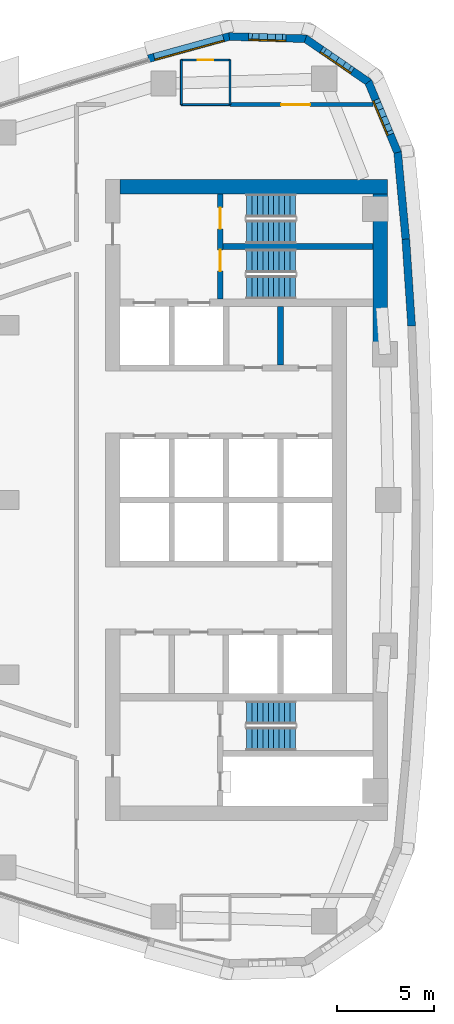
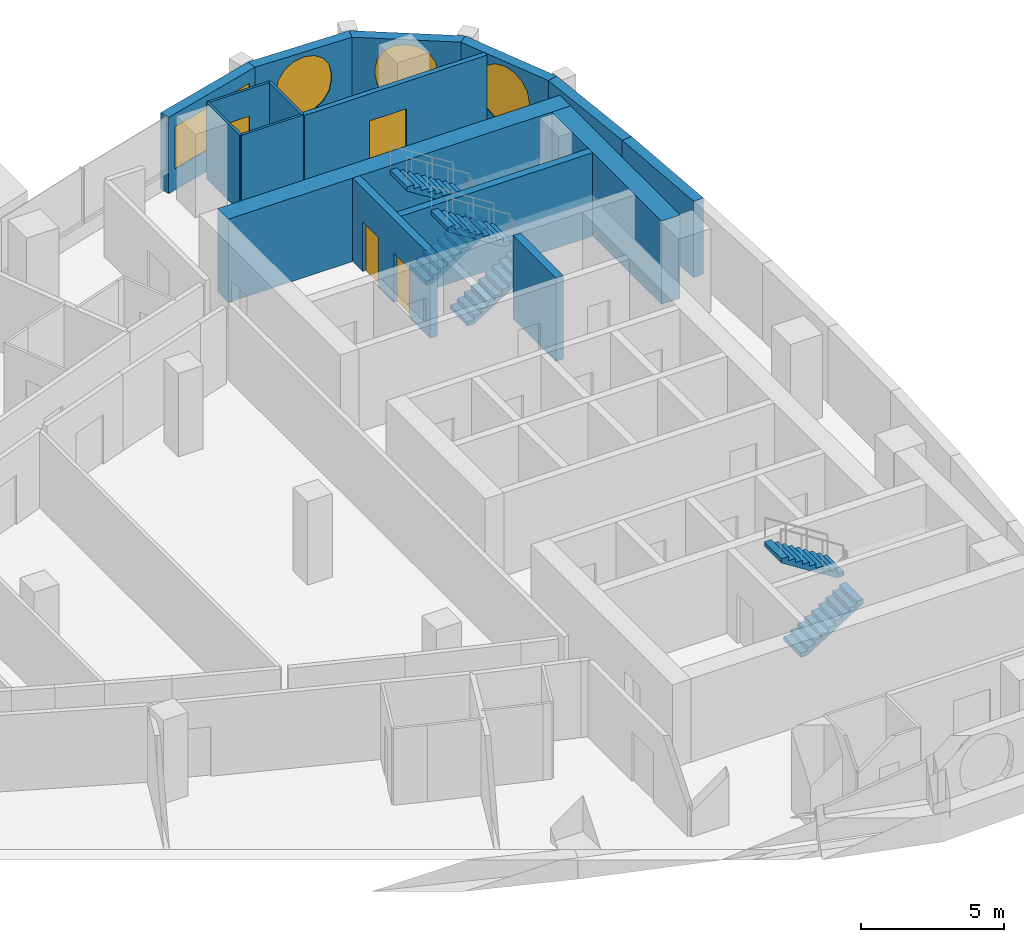
# One storey, part 12 of 16: 16 walls, 6 stair flights, 4 doors, 4 windows, 8 openings, 3 elements without a shape of their own.
"""IFC4 building model written with IfcOpenShell, lengths in metres."""

from ifc_helpers import new_model, si_unit, direction, frame, frame_2d, origin, place, context, subcontext, project, spatial, polyline, rectangle, outline, extrude, material, layer, layer_set, type_object, element, fill, aggregate, save


model = new_model("IFC4")

# Units and contexts
model_context = context("Model", 3, precision=1e-05, world=origin(), true_north=direction((0.0, 1.0)))
body_context = subcontext(model_context, "Body", "Model", "MODEL_VIEW")
ifc_project = project(units=[si_unit("LENGTHUNIT", "METRE"), si_unit("AREAUNIT", "SQUARE_METRE"), si_unit("VOLUMEUNIT", "CUBIC_METRE"), si_unit("PLANEANGLEUNIT", "RADIAN"), si_unit("MASSUNIT", "GRAM", prefix="KILO")], contexts=[model_context])

# Site, building, storey
site_placement = place(None, origin())
site = spatial("IfcSite", under=ifc_project, at=site_placement, CompositionType="ELEMENT")
building_placement = place(site_placement, origin())
building = spatial("IfcBuilding", under=site, at=building_placement, Name="Ostrand Prow Hotel Tower", CompositionType="ELEMENT")
storey_placement = place(building_placement, frame((0.0, 0.0, 189.699951171875)))
storey = spatial("IfcBuildingStorey", under=building, at=storey_placement, Name="L47", CompositionType="ELEMENT", Elevation=189.699951171875)

# Wall
ifc_material_1 = material(Name="Concrete C60/75", Category="concrete")
ifc_layer_1 = layer(ifc_material_1, 0.300048828125)
ifc_layer_set_1 = layer_set([ifc_layer_1], Name="Concrete C60/75")
wall_type_1 = type_object("IfcWallType", Name="Core wall 300 C60/75", PredefinedType="SHEAR", material=ifc_layer_set_1)
wall_1_placement = place(storey_placement, frame((58.949951171875, 6.949951171875, 0.0), z_axis=(0.0, 0.0, 1.0), x_axis=(0.0, 1.0, 0.0)))
element("IfcWall", 1, at=wall_1_placement, inside=storey, type_object=wall_type_1, Name="Core wall PW-R3-NA", PredefinedType="SHEAR", context=body_context, shape_type="SweptSolid", body=[
    extrude(rectangle(XDim=3.0, YDim=0.300048828125, at=frame_2d((1.5, 0.0))), origin(), (0.0, 0.0, 1.0), 3.550048828125),
])

# Wall, openings, doors
wall_2_placement = place(storey_placement, frame((55.85009765625, 10.35009765625, 0.0), z_axis=(0.0, 0.0, 1.0), x_axis=(0.0, 1.0, 0.0)))
wall_2 = element("IfcWall", 2, at=wall_2_placement, inside=storey, type_object=wall_type_1, Name="Core wall PW-VN", PredefinedType="SHEAR", context=body_context, shape_type="SweptSolid", body=[
    extrude(rectangle(XDim=5.39990234375, YDim=0.300048828125, at=frame_2d((2.699951171875, 0.0))), origin(), (0.0, 0.0, 1.0), 3.550048828125),
])
opening_1_placement = place(wall_2_placement, frame((1.429931640625, 0.0, 0.0)))
opening_1 = element("IfcOpeningElement", 3, at=opening_1_placement, cuts=wall_2, Name="Opening FD1", PredefinedType="OPENING", context=body_context, shape_type="SweptSolid", body=[
    extrude(rectangle(XDim=1.10009765625, YDim=2.10009765625, at=frame_2d((0.550048828125, 1.050048828125))), frame((0.0, 0.159912109375, 0.0), z_axis=(0.0, -1.0, 0.0), x_axis=(1.0, 0.0, 0.0)), (0.0, 0.0, 1.0), 0.320068359375),
])
opening_2_placement = place(wall_2_placement, frame((3.60009765625, 0.0, 0.0)))
opening_2 = element("IfcOpeningElement", 4, at=opening_2_placement, cuts=wall_2, Name="Opening FD1", PredefinedType="OPENING", context=body_context, shape_type="SweptSolid", body=[
    extrude(rectangle(XDim=1.10009765625, YDim=2.10009765625, at=frame_2d((0.550048828125, 1.050048828125))), frame((0.0, 0.159912109375, 0.0), z_axis=(0.0, -1.0, 0.0), x_axis=(1.0, 0.0, 0.0)), (0.0, 0.0, 1.0), 0.320068359375),
])
ifc_material_2 = material(Name="Steel fire door", Category="steel")
door_type_1 = type_object("IfcDoorType", Name="Fire door 1100 EI120", OperationType="SINGLE_SWING_RIGHT", PredefinedType="DOOR", material=ifc_material_2)
door_1_placement = place(opening_1_placement, origin())
door_1 = element("IfcDoor", 5, at=door_1_placement, inside=storey, type_object=door_type_1, Name="FIRE DOOR", OperationType="SINGLE_SWING_RIGHT", OverallHeight=2.10009765625, OverallWidth=1.10009765625, PredefinedType="DOOR", context=body_context, shape_type="SweptSolid", body=[
    extrude(rectangle(XDim=1.10009765625, YDim=2.10009765625, at=frame_2d((0.550048828125, 1.050048828125))), frame((0.0, 0.02490234375, 0.0), z_axis=(0.0, -1.0, 0.0), x_axis=(1.0, 0.0, 0.0)), (0.0, 0.0, 1.0), 0.050048828125),
])
fill(opening_1, door_1)
door_2_placement = place(opening_2_placement, origin())
door_2 = element("IfcDoor", 6, at=door_2_placement, inside=storey, type_object=door_type_1, Name="FIRE DOOR", OperationType="SINGLE_SWING_RIGHT", OverallHeight=2.10009765625, OverallWidth=1.10009765625, PredefinedType="DOOR", context=body_context, shape_type="SweptSolid", body=[
    extrude(rectangle(XDim=1.10009765625, YDim=2.10009765625, at=frame_2d((0.550048828125, 1.050048828125))), frame((0.0, 0.02490234375, 0.0), z_axis=(0.0, -1.0, 0.0), x_axis=(1.0, 0.0, 0.0)), (0.0, 0.0, 1.0), 0.050048828125),
])
fill(opening_2, door_2)

# Walls
wall_3_placement = place(storey_placement, frame((56.0, 13.050048828125, 0.0), z_axis=(0.0, 0.0, 1.0), x_axis=(1.0, 0.0, 0.0)))
element("IfcWall", 7, at=wall_3_placement, inside=storey, type_object=wall_type_1, Name="Core wall PW-ST13", PredefinedType="SHEAR", context=body_context, shape_type="SweptSolid", body=[
    extrude(rectangle(XDim=7.719970703125, YDim=0.300048828125, at=frame_2d((3.85986328125, 0.0))), origin(), (0.0, 0.0, 1.0), 3.550048828125),
])
ifc_material_3 = material(Name="Concrete C60/75", Category="concrete")
ifc_layer_2 = layer(ifc_material_3, 0.75)
ifc_layer_set_2 = layer_set([ifc_layer_2], Name="Concrete C60/75")
wall_type_2 = type_object("IfcWallType", Name="Core wall 750 C60/75", PredefinedType="SHEAR", material=ifc_layer_set_2)
wall_4_placement = place(storey_placement, frame((50.699951171875, 16.125, 0.0), z_axis=(0.0, 0.0, 1.0), x_axis=(1.0, 0.0, 0.0)))
element("IfcWall", 8, at=wall_4_placement, inside=storey, type_object=wall_type_2, Name="Core wall CW-N", PredefinedType="SHEAR", context=body_context, shape_type="SweptSolid", body=[
    extrude(rectangle(XDim=13.77001953125, YDim=0.75, at=frame_2d((6.885009765625, 0.0))), origin(), (0.0, 0.0, 1.0), 3.550048828125),
])
wall_5_placement = place(storey_placement, frame((64.094970703125, 8.09912109375, 0.0), z_axis=(0.0, 0.0, 1.0), x_axis=(0.0, 1.0, 0.0)))
element("IfcWall", 9, at=wall_5_placement, inside=storey, type_object=wall_type_2, Name="Core wall CW-E-N", PredefinedType="SHEAR", context=body_context, shape_type="SweptSolid", body=[
    extrude(rectangle(XDim=7.65087890625, YDim=0.75, at=frame_2d((3.825439453125, 0.0))), origin(), (0.0, 0.0, 1.0), 3.550048828125),
])

# Wall, opening, door
ifc_material_4 = material(Name="Plasterboard partition")
ifc_layer_3 = layer(ifc_material_4, 0.10009765625)
ifc_layer_set_3 = layer_set([ifc_layer_3], Name="Plasterboard partition")
wall_type_3 = type_object("IfcWallType", Name="Partition 100 bathroom wall", PredefinedType="PARTITIONING", material=ifc_layer_set_3)
wall_6_placement = place(storey_placement, frame((53.85009765625, 22.64990234375, 0.0), z_axis=(0.0, 0.0, 1.0), x_axis=(1.0, 0.0, 0.0)))
wall_6 = element("IfcWall", 10, at=wall_6_placement, inside=storey, type_object=wall_type_3, Name="BATHROOM WALL", PredefinedType="PARTITIONING", context=body_context, shape_type="SweptSolid", body=[
    extrude(rectangle(XDim=2.5, YDim=0.10009765625, at=frame_2d((1.25, 0.0))), origin(), (0.0, 0.0, 1.0), 3.25),
])
opening_3_placement = place(wall_6_placement, frame((0.85009765625, 0.0, 0.0)))
opening_3 = element("IfcOpeningElement", 11, at=opening_3_placement, cuts=wall_6, Name="Opening D2", PredefinedType="OPENING", context=body_context, shape_type="SweptSolid", body=[
    extrude(rectangle(XDim=0.800048828125, YDim=2.10009765625, at=frame_2d((0.39990234375, 1.050048828125))), frame((0.0, 0.06005859375, 0.0), z_axis=(0.0, -1.0, 0.0), x_axis=(1.0, 0.0, 0.0)), (0.0, 0.0, 1.0), 0.1201171875),
])
ifc_material_5 = material(Name="Timber door leaf", Category="wood")
door_type_2 = type_object("IfcDoorType", Name="Bathroom door 800", OperationType="SINGLE_SWING_LEFT", PredefinedType="DOOR", material=ifc_material_5)
door_3_placement = place(opening_3_placement, origin())
door_3 = element("IfcDoor", 12, at=door_3_placement, inside=storey, type_object=door_type_2, Name="DOOR", OperationType="SINGLE_SWING_LEFT", OverallHeight=2.10009765625, OverallWidth=0.800048828125, PredefinedType="DOOR", context=body_context, shape_type="SweptSolid", body=[
    extrude(rectangle(XDim=0.800048828125, YDim=2.10009765625, at=frame_2d((0.39990234375, 1.050048828125))), frame((0.0, 0.02490234375, 0.0), z_axis=(0.0, -1.0, 0.0), x_axis=(1.0, 0.0, 0.0)), (0.0, 0.0, 1.0), 0.050048828125),
])
fill(opening_3, door_3)

# Walls
for number, where, z_axis, x_axis, name in (
    (13, (56.35009765625, 22.64990234375, 0.0), (0.0, 0.0, 1.0), (0.0, -1.0, 0.0), "BATHROOM WALL"),
    (14, (53.85009765625, 20.35009765625, 0.0), (0.0, 0.0, 1.0), (0.0, 1.0, 0.0), "BATHROOM WALL"),
):
    element("IfcWall", number, at=place(storey_placement, frame(where, z_axis=z_axis, x_axis=x_axis)), inside=storey, type_object=wall_type_3, Name=name, PredefinedType="PARTITIONING", context=body_context, shape_type="SweptSolid", body=[
        extrude(rectangle(XDim=2.2998046875, YDim=0.10009765625, at=frame_2d((1.14990234375, 0.0))), origin(), (0.0, 0.0, 1.0), 3.25),
    ])
wall_7_placement = place(storey_placement, frame((56.35009765625, 20.35498046875, 0.0), z_axis=(0.0, 0.0, 1.0), x_axis=(-1.0, 0.0, 0.0)))
element("IfcWall", 15, at=wall_7_placement, inside=storey, type_object=wall_type_3, Name="BATHROOM WALL", PredefinedType="PARTITIONING", context=body_context, shape_type="SweptSolid", body=[
    extrude(rectangle(XDim=2.5, YDim=0.10009765625, at=frame_2d((1.25, 0.0))), origin(), (0.0, 0.0, 1.0), 3.25),
])

# Wall, opening, door
ifc_material_6 = material(Name="Plasterboard partition")
ifc_layer_4 = layer(ifc_material_6, 0.199951171875)
ifc_layer_set_4 = layer_set([ifc_layer_4], Name="Plasterboard partition")
wall_type_4 = type_object("IfcWallType", Name="Partition 200 corridor wall", PredefinedType="PARTITIONING", material=ifc_layer_set_4)
wall_8_placement = place(storey_placement, frame((63.70947265625, 20.35498046875, 0.0), z_axis=(0.0, 0.0, 1.0), x_axis=(-1.0, 0.0, 0.0)))
wall_8 = element("IfcWall", 16, at=wall_8_placement, inside=storey, type_object=wall_type_4, Name="CORRIDOR WALL", PredefinedType="PARTITIONING", context=body_context, shape_type="SweptSolid", body=[
    extrude(rectangle(XDim=7.3544921875, YDim=0.199951171875, at=frame_2d((3.67724609375, 0.0))), origin(), (0.0, 0.0, 1.0), 3.25),
])
opening_4_placement = place(wall_8_placement, frame((3.230712890625, 0.0, 0.0)))
opening_4 = element("IfcOpeningElement", 17, at=opening_4_placement, cuts=wall_8, Name="Opening D15", PredefinedType="OPENING", context=body_context, shape_type="SweptSolid", body=[
    extrude(rectangle(XDim=1.5, YDim=2.10009765625, at=frame_2d((0.75, 1.050048828125))), frame((0.0, 0.10986328125, 0.0), z_axis=(0.0, -1.0, 0.0), x_axis=(1.0, 0.0, 0.0)), (0.0, 0.0, 1.0), 0.219970703125),
])
ifc_material_7 = material(Name="Timber door leaf", Category="wood")
door_type_3 = type_object("IfcDoorType", Name="Double door 1500", OperationType="DOUBLE_DOOR_SINGLE_SWING", PredefinedType="DOOR", material=ifc_material_7)
door_4_placement = place(opening_4_placement, origin())
door_4 = element("IfcDoor", 18, at=door_4_placement, inside=storey, type_object=door_type_3, Name="DOOR", OperationType="DOUBLE_DOOR_SINGLE_SWING", OverallHeight=2.10009765625, OverallWidth=1.5, PredefinedType="DOOR", context=body_context, shape_type="SweptSolid", body=[
    extrude(rectangle(XDim=1.5, YDim=2.10009765625, at=frame_2d((0.75, 1.050048828125))), frame((0.0, 0.02490234375, 0.0), z_axis=(0.0, -1.0, 0.0), x_axis=(1.0, 0.0, 0.0)), (0.0, 0.0, 1.0), 0.050048828125),
])
fill(opening_4, door_4)

# Walls
ifc_material_8 = material(Name="Precast concrete C40/50", Category="concrete")
ifc_layer_5 = layer(ifc_material_8, 0.39990234375)
ifc_layer_set_5 = layer_set([ifc_layer_5], Name="Precast concrete C40/50")
wall_type_5 = type_object("IfcWallType", Name="Stone-faced precast wall 400 mm", PredefinedType="NOTDEFINED", material=ifc_layer_set_5)
wall_9_placement = place(storey_placement, frame((65.700439453125, 8.957763671875, 0.0), z_axis=(0.0, 0.0, 1.0), x_axis=(-0.066905935948, 0.997759287471, 0.0)))
element("IfcWall", 19, at=wall_9_placement, inside=storey, type_object=wall_type_5, Name="Stone-faced wall back 11", PredefinedType="NOTDEFINED", context=body_context, shape_type="SweptSolid", body=[
    extrude(outline(polyline([(-0.002685546875, -0.199951171875), (4.483642578125, -0.199951171875), (4.478271484375, 0.199951171875), (0.002685546875, 0.199951171875), (-0.002685546875, -0.199951171875)])), origin(), (0.0, 0.0, 1.0), 3.25),
])
wall_10_placement = place(storey_placement, frame((65.400634765625, 13.4287109375, 0.0), z_axis=(0.0, 0.0, 1.0), x_axis=(-0.093605694738, 0.995609348044, 0.0)))
element("IfcWall", 20, at=wall_10_placement, inside=storey, type_object=wall_type_5, Name="Stone-faced wall back 12", PredefinedType="NOTDEFINED", context=body_context, shape_type="SweptSolid", body=[
    extrude(outline(polyline([(-0.002685546875, -0.199951171875), (4.51123046875, -0.199951171875), (4.45068359375, 0.199951171875), (0.002685546875, 0.199951171875), (-0.002685546875, -0.199951171875)])), origin(), (0.0, 0.0, 1.0), 3.25),
])

# Wall, opening, window
wall_11_placement = place(storey_placement, frame((64.981201171875, 17.889892578125, 0.0), z_axis=(0.0, 0.0, 1.0), x_axis=(-0.383997619794, 0.923334082547, 0.0)))
wall_11 = element("IfcWall", 21, at=wall_11_placement, inside=storey, type_object=wall_type_5, Name="Stone-faced wall back 13", PredefinedType="NOTDEFINED", context=body_context, shape_type="SweptSolid", body=[
    extrude(outline(polyline([(-0.0302734375, -0.199951171875), (3.98828125, -0.199951171875), (3.8701171875, 0.199951171875), (0.0302734375, 0.199951171875), (-0.0302734375, -0.199951171875)])), origin(), (0.0, 0.0, 1.0), 3.25),
])
opening_5_placement = place(wall_11_placement, frame((0.864501953125, 0.0, 0.60009765625)))
opening_5 = element("IfcOpeningElement", 22, at=opening_5_placement, cuts=wall_11, Name="Opening WP1", PredefinedType="OPENING", context=body_context, shape_type="SweptSolid", body=[
    extrude(outline(polyline([(0.0, 1.35009765625), (0.083740234375, 1.77099609375), (0.322265625, 2.127685546875), (0.678955078125, 2.3662109375), (1.10009765625, 2.449951171875), (1.52099609375, 2.3662109375), (1.877685546875, 2.127685546875), (2.1162109375, 1.77099609375), (2.199951171875, 1.35009765625), (2.199951171875, 1.10009765625), (2.1162109375, 0.678955078125), (1.877685546875, 0.322265625), (1.52099609375, 0.083740234375), (1.10009765625, 0.0), (0.678955078125, 0.083740234375), (0.322265625, 0.322265625), (0.083740234375, 0.678955078125), (0.0, 1.099853515625), (0.0, 1.35009765625)])), frame((0.0, 0.2099609375, 0.0), z_axis=(0.0, -1.0, 0.0), x_axis=(1.0, 0.0, 0.0)), (0.0, 0.0, 1.0), 0.419921875),
])
ifc_material_9 = material(Name="Insulated glass in bronze frame", Category="glass")
window_type_1 = type_object("IfcWindowType", Name="Round-ended prow window 2200x2450", PartitioningType="SINGLE_PANEL", PredefinedType="WINDOW", material=ifc_material_9)
window_1_placement = place(opening_5_placement, origin())
window_1 = element("IfcWindow", 23, at=window_1_placement, inside=storey, type_object=window_type_1, Name="Window back 13.1", OverallHeight=2.449951171875, OverallWidth=2.199951171875, PartitioningType="SINGLE_PANEL", PredefinedType="WINDOW", context=body_context, shape_type="SweptSolid", body=[
    extrude(outline(polyline([(0.0, 1.35009765625), (0.083740234375, 1.77099609375), (0.322265625, 2.127685546875), (0.678955078125, 2.3662109375), (1.10009765625, 2.449951171875), (1.52099609375, 2.3662109375), (1.877685546875, 2.127685546875), (2.1162109375, 1.77099609375), (2.199951171875, 1.35009765625), (2.199951171875, 1.10009765625), (2.1162109375, 0.678955078125), (1.877685546875, 0.322265625), (1.52099609375, 0.083740234375), (1.10009765625, 0.0), (0.678955078125, 0.083740234375), (0.322265625, 0.322265625), (0.083740234375, 0.678955078125), (0.0, 1.099853515625), (0.0, 1.35009765625)])), frame((0.0, 0.169921875, 0.0), z_axis=(0.0, -1.0, 0.0), x_axis=(1.0, 0.0, 0.0)), (0.0, 0.0, 1.0), 0.06005859375),
])
fill(opening_5, window_1)

wall_12_placement = place(storey_placement, frame((63.472412109375, 21.517822265625, 0.0), z_axis=(0.0, 0.0, 1.0), x_axis=(-0.823806162588, 0.566871596115, 0.0)))
wall_12 = element("IfcWall", 24, at=wall_12_placement, inside=storey, type_object=wall_type_5, Name="Stone-faced wall back 14", PredefinedType="NOTDEFINED", context=body_context, shape_type="SweptSolid", body=[
    extrude(outline(polyline([(-0.05908203125, -0.199951171875), (3.98828125, -0.199951171875), (3.8701171875, 0.199951171875), (0.05908203125, 0.199951171875), (-0.05908203125, -0.199951171875)])), origin(), (0.0, 0.0, 1.0), 3.25),
])
opening_6_placement = place(wall_12_placement, frame((0.864501953125, 0.0, 0.60009765625)))
opening_6 = element("IfcOpeningElement", 25, at=opening_6_placement, cuts=wall_12, Name="Opening WP1", PredefinedType="OPENING", context=body_context, shape_type="SweptSolid", body=[
    extrude(outline(polyline([(0.0, 1.35009765625), (0.083740234375, 1.77099609375), (0.322265625, 2.127685546875), (0.678955078125, 2.3662109375), (1.10009765625, 2.449951171875), (1.52099609375, 2.3662109375), (1.877685546875, 2.127685546875), (2.1162109375, 1.77099609375), (2.199951171875, 1.35009765625), (2.199951171875, 1.10009765625), (2.1162109375, 0.678955078125), (1.877685546875, 0.322265625), (1.52099609375, 0.083740234375), (1.10009765625, 0.0), (0.678955078125, 0.083740234375), (0.322265625, 0.322265625), (0.083740234375, 0.678955078125), (0.0, 1.099853515625), (0.0, 1.35009765625)])), frame((0.0, 0.2099609375, 0.0), z_axis=(0.0, -1.0, 0.0), x_axis=(1.0, 0.0, 0.0)), (0.0, 0.0, 1.0), 0.419921875),
])
window_2_placement = place(opening_6_placement, origin())
window_2 = element("IfcWindow", 26, at=window_2_placement, inside=storey, type_object=window_type_1, Name="Window back 14.1", OverallHeight=2.449951171875, OverallWidth=2.199951171875, PartitioningType="SINGLE_PANEL", PredefinedType="WINDOW", context=body_context, shape_type="SweptSolid", body=[
    extrude(outline(polyline([(0.0, 1.35009765625), (0.083740234375, 1.77099609375), (0.322265625, 2.127685546875), (0.678955078125, 2.3662109375), (1.10009765625, 2.449951171875), (1.52099609375, 2.3662109375), (1.877685546875, 2.127685546875), (2.1162109375, 1.77099609375), (2.199951171875, 1.35009765625), (2.199951171875, 1.10009765625), (2.1162109375, 0.678955078125), (1.877685546875, 0.322265625), (1.52099609375, 0.083740234375), (1.10009765625, 0.0), (0.678955078125, 0.083740234375), (0.322265625, 0.322265625), (0.083740234375, 0.678955078125), (0.0, 1.099853515625), (0.0, 1.35009765625)])), frame((0.0, 0.169921875, 0.0), z_axis=(0.0, -1.0, 0.0), x_axis=(1.0, 0.0, 0.0)), (0.0, 0.0, 1.0), 0.06005859375),
])
fill(opening_6, window_2)

wall_13_placement = place(storey_placement, frame((60.235595703125, 23.7451171875, 0.0), z_axis=(0.0, 0.0, 1.0), x_axis=(-0.999587920197, 0.028705222472, 0.0)))
wall_13 = element("IfcWall", 27, at=wall_13_placement, inside=storey, type_object=wall_type_5, Name="Stone-faced wall back 15", PredefinedType="NOTDEFINED", context=body_context, shape_type="SweptSolid", body=[
    extrude(outline(polyline([(-0.05908203125, -0.199951171875), (3.959228515625, -0.199951171875), (3.899658203125, 0.199951171875), (0.05908203125, 0.199951171875), (-0.05908203125, -0.199951171875)])), origin(), (0.0, 0.0, 1.0), 3.25),
])
opening_7_placement = place(wall_13_placement, frame((0.864501953125, 0.0, 0.60009765625)))
opening_7 = element("IfcOpeningElement", 28, at=opening_7_placement, cuts=wall_13, Name="Opening WP1", PredefinedType="OPENING", context=body_context, shape_type="SweptSolid", body=[
    extrude(outline(polyline([(0.0, 1.35009765625), (0.083740234375, 1.77099609375), (0.322265625, 2.127685546875), (0.678955078125, 2.3662109375), (1.10009765625, 2.449951171875), (1.52099609375, 2.3662109375), (1.877685546875, 2.127685546875), (2.1162109375, 1.77099609375), (2.199951171875, 1.35009765625), (2.199951171875, 1.10009765625), (2.1162109375, 0.678955078125), (1.877685546875, 0.322265625), (1.52099609375, 0.083740234375), (1.10009765625, 0.0), (0.678955078125, 0.083740234375), (0.322265625, 0.322265625), (0.083740234375, 0.678955078125), (0.0, 1.099853515625), (0.0, 1.35009765625)])), frame((0.0, 0.2099609375, 0.0), z_axis=(0.0, -1.0, 0.0), x_axis=(1.0, 0.0, 0.0)), (0.0, 0.0, 1.0), 0.419921875),
])
window_3_placement = place(opening_7_placement, origin())
window_3 = element("IfcWindow", 29, at=window_3_placement, inside=storey, type_object=window_type_1, Name="Window back 15.1", OverallHeight=2.449951171875, OverallWidth=2.199951171875, PartitioningType="SINGLE_PANEL", PredefinedType="WINDOW", context=body_context, shape_type="SweptSolid", body=[
    extrude(outline(polyline([(0.0, 1.35009765625), (0.083740234375, 1.77099609375), (0.322265625, 2.127685546875), (0.678955078125, 2.3662109375), (1.10009765625, 2.449951171875), (1.52099609375, 2.3662109375), (1.877685546875, 2.127685546875), (2.1162109375, 1.77099609375), (2.199951171875, 1.35009765625), (2.199951171875, 1.10009765625), (2.1162109375, 0.678955078125), (1.877685546875, 0.322265625), (1.52099609375, 0.083740234375), (1.10009765625, 0.0), (0.678955078125, 0.083740234375), (0.322265625, 0.322265625), (0.083740234375, 0.678955078125), (0.0, 1.099853515625), (0.0, 1.35009765625)])), frame((0.0, 0.169921875, 0.0), z_axis=(0.0, -1.0, 0.0), x_axis=(1.0, 0.0, 0.0)), (0.0, 0.0, 1.0), 0.06005859375),
])
fill(opening_7, window_3)

wall_14_placement = place(storey_placement, frame((56.307861328125, 23.85791015625, 0.0), z_axis=(0.0, 0.0, 1.0), x_axis=(-0.964205755089, -0.265155165617, 0.0)))
wall_14 = element("IfcWall", 30, at=wall_14_placement, inside=storey, type_object=wall_type_5, Name="Stone-faced wall back 16", PredefinedType="NOTDEFINED", context=body_context, shape_type="SweptSolid", body=[
    extrude(outline(polyline([(-0.02978515625, -0.199951171875), (4.30712890625, -0.199951171875), (4.30712890625, 0.199951171875), (0.02978515625, 0.199951171875), (-0.02978515625, -0.199951171875)])), origin(), (0.0, 0.0, 1.0), 3.25),
])
opening_8_placement = place(wall_14_placement, frame((0.303466796875, 0.0, 0.89990234375)))
opening_8 = element("IfcOpeningElement", 31, at=opening_8_placement, cuts=wall_14, Name="Opening WS3-37", PredefinedType="OPENING", context=body_context, shape_type="SweptSolid", body=[
    extrude(rectangle(XDim=3.699951171875, YDim=1.800048828125, at=frame_2d((1.85009765625, 0.89990234375))), frame((0.0, 0.2099609375, 0.0), z_axis=(0.0, -1.0, 0.0), x_axis=(1.0, 0.0, 0.0)), (0.0, 0.0, 1.0), 0.419921875),
])
ifc_material_10 = material(Name="Insulated glass in bronze frame", Category="glass")
window_type_2 = type_object("IfcWindowType", Name="Strip window 3700x1800", PartitioningType="SINGLE_PANEL", PredefinedType="WINDOW", material=ifc_material_10)
window_4_placement = place(opening_8_placement, origin())
window_4 = element("IfcWindow", 32, at=window_4_placement, inside=storey, type_object=window_type_2, Name="Window back 16.1", OverallHeight=1.800048828125, OverallWidth=3.699951171875, PartitioningType="SINGLE_PANEL", PredefinedType="WINDOW", context=body_context, shape_type="SweptSolid", body=[
    extrude(rectangle(XDim=3.699951171875, YDim=1.800048828125, at=frame_2d((1.85009765625, 0.89990234375))), frame((0.0, 0.169921875, 0.0), z_axis=(0.0, -1.0, 0.0), x_axis=(1.0, 0.0, 0.0)), (0.0, 0.0, 1.0), 0.06005859375),
])
fill(opening_8, window_4)

# Stair, stair flights
ifc_material_11 = material(Name="Concrete C40/50", Category="concrete")
stair_type = type_object("IfcStairType", Name="Exit stair 1200 upper zone", PredefinedType="HALF_TURN_STAIR", material=ifc_material_11)
stair_1_placement = place(storey_placement, origin())
stair_1 = element("IfcStair", 33, at=stair_1_placement, inside=storey, type_object=stair_type, Name="L47 ST1C", PredefinedType="HALF_TURN_STAIR")
ifc_material_12 = material(Name="Concrete C40/50", Category="concrete")
stair_flight_type = type_object("IfcStairFlightType", Name="Stair flight 1200 concrete", PredefinedType="STRAIGHT", material=ifc_material_12)
stair_flight_1_placement = place(storey_placement, frame((57.199951171875, 10.949951171875, 0.0), z_axis=(0.0, 0.0, 1.0), x_axis=(1.0, 0.0, 0.0)))
stair_flight_1 = element("IfcStairFlight", 34, at=stair_flight_1_placement, type_object=stair_flight_type, Name="ST1C flight 1", NumberOfRisers=10, NumberOfTreads=9, PredefinedType="STRAIGHT", RiserHeight=0.1775, TreadLength=0.28, context=body_context, shape_type="SweptSolid", body=[
    extrude(outline(polyline([(0.0, 0.0), (0.0, 0.177490234375), (0.280029296875, 0.177490234375), (0.280029296875, 0.35498046875), (0.56005859375, 0.35498046875), (0.56005859375, 0.532470703125), (0.840087890625, 0.532470703125), (0.840087890625, 0.7099609375), (1.1201171875, 0.7099609375), (1.1201171875, 0.887451171875), (1.39990234375, 0.887451171875), (1.39990234375, 1.06494140625), (1.679931640625, 1.06494140625), (1.679931640625, 1.242431640625), (1.9599609375, 1.242431640625), (1.9599609375, 1.419921875), (2.239990234375, 1.419921875), (2.239990234375, 1.597412109375), (2.52001953125, 1.597412109375), (2.52001953125, 1.77490234375), (2.52001953125, 1.419921875), (0.280029296875, 0.0), (0.0, 0.0)])), frame((0.0, 0.60009765625, 0.0), z_axis=(0.0, -1.0, 0.0), x_axis=(1.0, 0.0, 0.0)), (0.0, 0.0, 1.0), 1.199951171875),
])
stair_flight_2_placement = place(storey_placement, frame((59.719970703125, 12.300048828125, 1.775146484375), z_axis=(0.0, 0.0, 1.0), x_axis=(-1.0, 0.0, 0.0)))
stair_flight_2 = element("IfcStairFlight", 35, at=stair_flight_2_placement, type_object=stair_flight_type, Name="ST1C flight 2", NumberOfRisers=10, NumberOfTreads=9, PredefinedType="STRAIGHT", RiserHeight=0.1775, TreadLength=0.28, context=body_context, shape_type="SweptSolid", body=[
    extrude(outline(polyline([(0.0, 0.0), (0.0, 0.177490234375), (0.280029296875, 0.177490234375), (0.280029296875, 0.35498046875), (0.56005859375, 0.35498046875), (0.56005859375, 0.532470703125), (0.840087890625, 0.532470703125), (0.840087890625, 0.7099609375), (1.1201171875, 0.7099609375), (1.1201171875, 0.887451171875), (1.39990234375, 0.887451171875), (1.39990234375, 1.06494140625), (1.679931640625, 1.06494140625), (1.679931640625, 1.242431640625), (1.9599609375, 1.242431640625), (1.9599609375, 1.419921875), (2.239990234375, 1.419921875), (2.239990234375, 1.597412109375), (2.52001953125, 1.597412109375), (2.52001953125, 1.77490234375), (2.52001953125, 1.419921875), (0.280029296875, 0.0), (0.0, 0.0)])), frame((0.0, 0.60009765625, 0.0), z_axis=(0.0, -1.0, 0.0), x_axis=(1.0, 0.0, 0.0)), (0.0, 0.0, 1.0), 1.199951171875),
])
aggregate(stair_1, [stair_flight_1, stair_flight_2])

stair_2_placement = place(storey_placement, origin())
stair_2 = element("IfcStair", 36, at=stair_2_placement, inside=storey, type_object=stair_type, Name="L47 ST3C", PredefinedType="HALF_TURN_STAIR")
stair_flight_3_placement = place(storey_placement, frame((57.199951171875, 13.800048828125, 0.0), z_axis=(0.0, 0.0, 1.0), x_axis=(1.0, 0.0, 0.0)))
stair_flight_3 = element("IfcStairFlight", 37, at=stair_flight_3_placement, type_object=stair_flight_type, Name="ST3C flight 1", NumberOfRisers=10, NumberOfTreads=9, PredefinedType="STRAIGHT", RiserHeight=0.1775, TreadLength=0.28, context=body_context, shape_type="SweptSolid", body=[
    extrude(outline(polyline([(0.0, 0.0), (0.0, 0.177490234375), (0.280029296875, 0.177490234375), (0.280029296875, 0.35498046875), (0.56005859375, 0.35498046875), (0.56005859375, 0.532470703125), (0.840087890625, 0.532470703125), (0.840087890625, 0.7099609375), (1.1201171875, 0.7099609375), (1.1201171875, 0.887451171875), (1.39990234375, 0.887451171875), (1.39990234375, 1.06494140625), (1.679931640625, 1.06494140625), (1.679931640625, 1.242431640625), (1.9599609375, 1.242431640625), (1.9599609375, 1.419921875), (2.239990234375, 1.419921875), (2.239990234375, 1.597412109375), (2.52001953125, 1.597412109375), (2.52001953125, 1.77490234375), (2.52001953125, 1.419921875), (0.280029296875, 0.0), (0.0, 0.0)])), frame((0.0, 0.60009765625, 0.0), z_axis=(0.0, -1.0, 0.0), x_axis=(1.0, 0.0, 0.0)), (0.0, 0.0, 1.0), 1.199951171875),
])
stair_flight_4_placement = place(storey_placement, frame((59.719970703125, 15.14990234375, 1.775146484375), z_axis=(0.0, 0.0, 1.0), x_axis=(-1.0, 0.0, 0.0)))
stair_flight_4 = element("IfcStairFlight", 38, at=stair_flight_4_placement, type_object=stair_flight_type, Name="ST3C flight 2", NumberOfRisers=10, NumberOfTreads=9, PredefinedType="STRAIGHT", RiserHeight=0.1775, TreadLength=0.28, context=body_context, shape_type="SweptSolid", body=[
    extrude(outline(polyline([(0.0, 0.0), (0.0, 0.177490234375), (0.280029296875, 0.177490234375), (0.280029296875, 0.35498046875), (0.56005859375, 0.35498046875), (0.56005859375, 0.532470703125), (0.840087890625, 0.532470703125), (0.840087890625, 0.7099609375), (1.1201171875, 0.7099609375), (1.1201171875, 0.887451171875), (1.39990234375, 0.887451171875), (1.39990234375, 1.06494140625), (1.679931640625, 1.06494140625), (1.679931640625, 1.242431640625), (1.9599609375, 1.242431640625), (1.9599609375, 1.419921875), (2.239990234375, 1.419921875), (2.239990234375, 1.597412109375), (2.52001953125, 1.597412109375), (2.52001953125, 1.77490234375), (2.52001953125, 1.419921875), (0.280029296875, 0.0), (0.0, 0.0)])), frame((0.0, 0.60009765625, 0.0), z_axis=(0.0, -1.0, 0.0), x_axis=(1.0, 0.0, 0.0)), (0.0, 0.0, 1.0), 1.199951171875),
])
aggregate(stair_2, [stair_flight_3, stair_flight_4])

stair_3_placement = place(storey_placement, origin())
stair_3 = element("IfcStair", 39, at=stair_3_placement, inside=storey, type_object=stair_type, Name="L47 ST2C", PredefinedType="HALF_TURN_STAIR")
stair_flight_5_placement = place(storey_placement, frame((57.199951171875, -12.300048828125, 0.0), z_axis=(0.0, 0.0, 1.0), x_axis=(1.0, 0.0, 0.0)))
stair_flight_5 = element("IfcStairFlight", 40, at=stair_flight_5_placement, type_object=stair_flight_type, Name="ST2C flight 1", NumberOfRisers=10, NumberOfTreads=9, PredefinedType="STRAIGHT", RiserHeight=0.1775, TreadLength=0.28, context=body_context, shape_type="SweptSolid", body=[
    extrude(outline(polyline([(0.0, 0.0), (0.0, 0.177490234375), (0.280029296875, 0.177490234375), (0.280029296875, 0.35498046875), (0.56005859375, 0.35498046875), (0.56005859375, 0.532470703125), (0.840087890625, 0.532470703125), (0.840087890625, 0.7099609375), (1.1201171875, 0.7099609375), (1.1201171875, 0.887451171875), (1.39990234375, 0.887451171875), (1.39990234375, 1.06494140625), (1.679931640625, 1.06494140625), (1.679931640625, 1.242431640625), (1.9599609375, 1.242431640625), (1.9599609375, 1.419921875), (2.239990234375, 1.419921875), (2.239990234375, 1.597412109375), (2.52001953125, 1.597412109375), (2.52001953125, 1.77490234375), (2.52001953125, 1.419921875), (0.280029296875, 0.0), (0.0, 0.0)])), frame((0.0, 0.60009765625, 0.0), z_axis=(0.0, -1.0, 0.0), x_axis=(1.0, 0.0, 0.0)), (0.0, 0.0, 1.0), 1.199951171875),
])
stair_flight_6_placement = place(storey_placement, frame((59.719970703125, -10.949951171875, 1.775146484375), z_axis=(0.0, 0.0, 1.0), x_axis=(-1.0, 0.0, 0.0)))
stair_flight_6 = element("IfcStairFlight", 41, at=stair_flight_6_placement, type_object=stair_flight_type, Name="ST2C flight 2", NumberOfRisers=10, NumberOfTreads=9, PredefinedType="STRAIGHT", RiserHeight=0.1775, TreadLength=0.28, context=body_context, shape_type="SweptSolid", body=[
    extrude(outline(polyline([(0.0, 0.0), (0.0, 0.177490234375), (0.280029296875, 0.177490234375), (0.280029296875, 0.35498046875), (0.56005859375, 0.35498046875), (0.56005859375, 0.532470703125), (0.840087890625, 0.532470703125), (0.840087890625, 0.7099609375), (1.1201171875, 0.7099609375), (1.1201171875, 0.887451171875), (1.39990234375, 0.887451171875), (1.39990234375, 1.06494140625), (1.679931640625, 1.06494140625), (1.679931640625, 1.242431640625), (1.9599609375, 1.242431640625), (1.9599609375, 1.419921875), (2.239990234375, 1.419921875), (2.239990234375, 1.597412109375), (2.52001953125, 1.597412109375), (2.52001953125, 1.77490234375), (2.52001953125, 1.419921875), (0.280029296875, 0.0), (0.0, 0.0)])), frame((0.0, 0.60009765625, 0.0), z_axis=(0.0, -1.0, 0.0), x_axis=(1.0, 0.0, 0.0)), (0.0, 0.0, 1.0), 1.199951171875),
])
aggregate(stair_3, [stair_flight_5, stair_flight_6])

save(model, "model.ifc")
